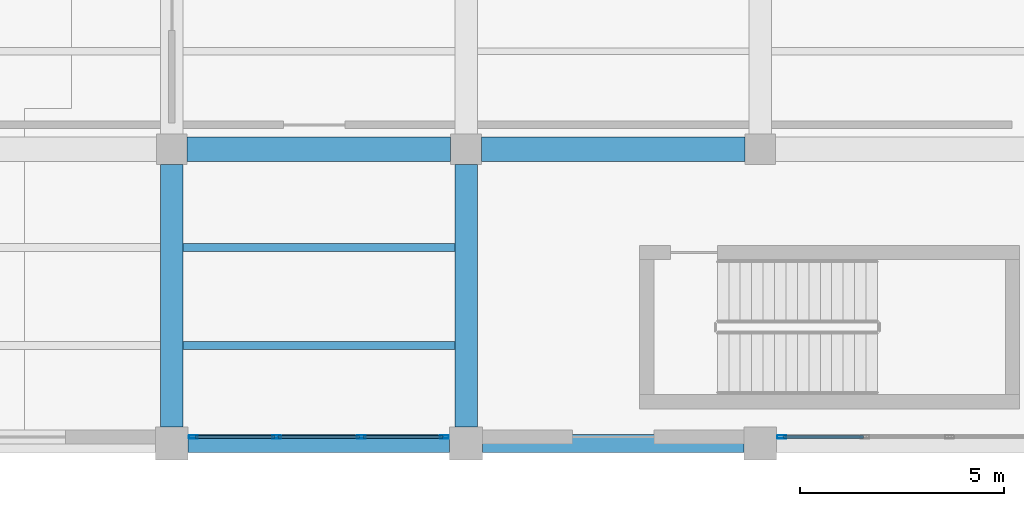
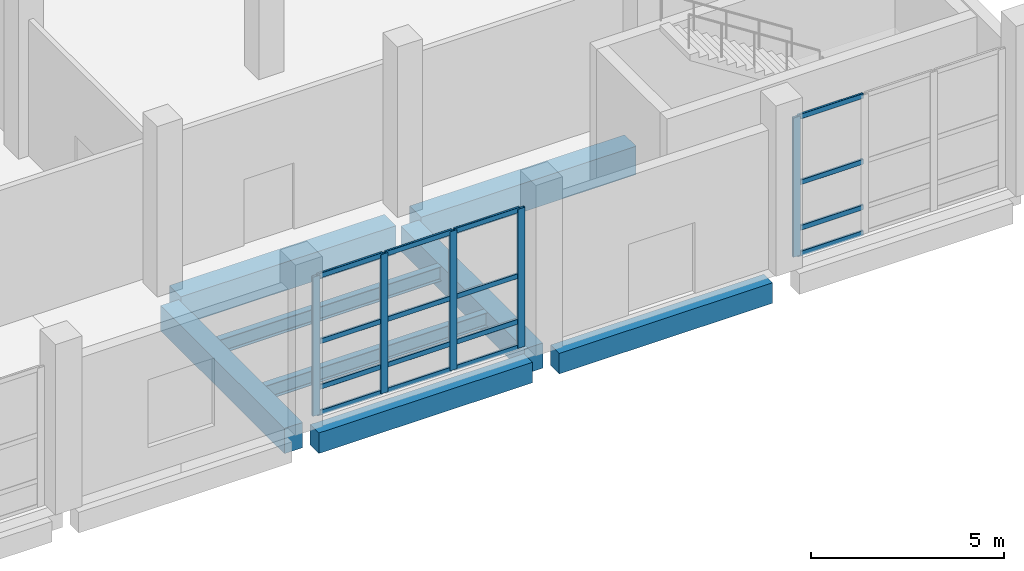
# One storey, part 64 of 137: 21 members, 8 beams, 2 elements without a shape of their own.
"""IFC4 building model written with IfcOpenShell, lengths in metres."""

from ifc_helpers import new_model, si_unit, direction, frame, origin, origin_2d, place, context, subcontext, project, spatial, rectangle, hollow_rectangle, i_section, extrude, material, material_profile, profile_set, type_object, element, aggregate, save


model = new_model("IFC4")

# Units and contexts
model_context = context("Model", 3, precision=1e-05, world=origin(), true_north=direction((0.0, 1.0)))
body_context = subcontext(model_context, "Body", "Model", "MODEL_VIEW")
ifc_project = project(units=[si_unit("LENGTHUNIT", "METRE"), si_unit("AREAUNIT", "SQUARE_METRE"), si_unit("VOLUMEUNIT", "CUBIC_METRE"), si_unit("PLANEANGLEUNIT", "RADIAN"), si_unit("MASSUNIT", "GRAM", prefix="KILO")], contexts=[model_context])

# Site, building, storey
site_placement = place(None, origin())
site = spatial("IfcSite", under=ifc_project, at=site_placement, CompositionType="ELEMENT")
building_placement = place(site_placement, origin())
building = spatial("IfcBuilding", under=site, at=building_placement, Name="Kalmorath City Hall", CompositionType="ELEMENT")
storey_placement = place(building_placement, origin())
storey = spatial("IfcBuildingStorey", under=building, at=storey_placement, Name="L00", CompositionType="ELEMENT", Elevation=0.0)

# Beams
ifc_material_1 = material(Name="Concrete C40/50", Category="concrete")
ifc_material_profile_1 = material_profile(ifc_material_1, rectangle(XDim=0.550048828125, YDim=0.800048828125, at=origin_2d()), Name="RC-BM-550X800")
ifc_profile_set_1 = profile_set([ifc_material_profile_1], Name="Concrete C40/50")
beam_type_1 = type_object("IfcBeamType", Name="Concrete floor girder 550x800", PredefinedType="BEAM", material=ifc_profile_set_1)
for number, where, z_axis, x_axis, name in (
    (1, (144.0, 0.39990234375, -0.7041015625), (0.0, 1.0, 0.0), (-1.0, 0.0, 0.0), "L00 girder CB2 Y21/1-2"),
    (2, (151.199951171875, 0.39990234375, -0.7041015625), (0.0, 1.0, 0.0), (-1.0, 0.0, 0.0), "L00 girder CB2 Y22/1-2"),
):
    element("IfcBeam", number, at=place(storey_placement, frame(where, z_axis=z_axis, x_axis=x_axis)), inside=storey, type_object=beam_type_1, Name=name, PredefinedType="BEAM", context=body_context, shape_type="SweptSolid", body=[
        extrude(rectangle(XDim=0.550048828125, YDim=0.800048828125, at=origin_2d()), origin(), (0.0, 0.0, 1.0), 6.425048828125),
    ])
ifc_material_2 = material(Name="Concrete C40/50", Category="concrete")
ifc_material_profile_2 = material_profile(ifc_material_2, rectangle(XDim=0.60009765625, YDim=0.89990234375, at=origin_2d()), Name="RC-BM-600X900")
ifc_profile_set_2 = profile_set([ifc_material_profile_2], Name="Concrete C40/50")
beam_type_2 = type_object("IfcBeamType", Name="Concrete floor girder 600x900", PredefinedType="BEAM", material=ifc_profile_set_2)
for number, where, z_axis, x_axis, name in (
    (3, (144.375, 7.199951171875, -0.75390625), (1.0, 0.0, 0.0), (0.0, 1.0, 0.0), "L00 girder CB1 X21-22/2"),
    (4, (151.574951171875, 7.199951171875, -0.75390625), (1.0, 0.0, 0.0), (0.0, 1.0, 0.0), "L00 girder CB1 X22-23/2"),
):
    element("IfcBeam", number, at=place(storey_placement, frame(where, z_axis=z_axis, x_axis=x_axis)), inside=storey, type_object=beam_type_2, Name=name, PredefinedType="BEAM", context=body_context, shape_type="SweptSolid", body=[
        extrude(rectangle(XDim=0.60009765625, YDim=0.89990234375, at=origin_2d()), origin(), (0.0, 0.0, 1.0), 6.449951171875),
    ])
ifc_material_3 = material(Name="Concrete C40/50", Category="concrete")
ifc_material_profile_3 = material_profile(ifc_material_3, rectangle(XDim=0.449951171875, YDim=0.64990234375, at=origin_2d()), Name="RC-BM-450X650")
ifc_profile_set_3 = profile_set([ifc_material_profile_3], Name="Concrete C40/50")
beam_type_3 = type_object("IfcBeamType", Name="Concrete spandrel beam 450x650", PredefinedType="SPANDREL", material=ifc_profile_set_3)
beam_1_placement = place(storey_placement, frame((144.39990234375, 0.0, -0.62890625), z_axis=(1.0, 0.0, 0.0), x_axis=(0.0, 1.0, 0.0)))
element("IfcBeam", 5, at=beam_1_placement, inside=storey, type_object=beam_type_3, Name="L00 girder CB5 X21-22/1", PredefinedType="SPANDREL", context=body_context, shape_type="SweptSolid", body=[
    extrude(rectangle(XDim=0.449951171875, YDim=0.64990234375, at=origin_2d()), origin(), (0.0, 0.0, 1.0), 6.400146484375),
])
beam_2_placement = place(storey_placement, frame((151.60009765625, 0.0, -0.62890625), z_axis=(1.0, 0.0, 0.0), x_axis=(0.0, 1.0, 0.0)))
element("IfcBeam", 6, at=beam_2_placement, inside=storey, type_object=beam_type_3, Name="L00 girder CB5 X22-23/1", PredefinedType="SPANDREL", context=body_context, shape_type="SweptSolid", body=[
    extrude(rectangle(XDim=0.449951171875, YDim=0.64990234375, at=origin_2d()), origin(), (0.0, 0.0, 1.0), 6.39990234375),
])

# Curtain wall, member
ifc_material_4 = material(Name="Anodised aluminium and laminated glass", Category="aluminium")
curtain_wall_type = type_object("IfcCurtainWallType", Name="Unitised hurricane curtain wall 6220x4411 M1800", PredefinedType="NOTDEFINED", material=ifc_material_4)
curtain_wall_1_placement = place(storey_placement, origin())
curtain_wall_1 = element("IfcCurtainWall", 7, at=curtain_wall_1_placement, inside=storey, type_object=curtain_wall_type, Name="L00 curtain wall CW-62X44M18 #12", PredefinedType="NOTDEFINED")
ifc_material_5 = material(Name="Anodised aluminium framing", Category="aluminium")
ifc_material_profile_4 = material_profile(ifc_material_5, hollow_rectangle(XDim=0.074951171875, YDim=0.219970703125, WallThickness=0.00390625, InnerFilletRadius=0.00390625, OuterFilletRadius=0.008056640625, at=origin_2d()), Name="ALU-MUL-220X75X4")
ifc_profile_set_4 = profile_set([ifc_material_profile_4], Name="Anodised aluminium framing")
member_type_1 = type_object("IfcMemberType", Name="Curtain-wall primary mullion 220x75", PredefinedType="MULLION", material=ifc_profile_set_4)
member_1_placement = place(storey_placement, frame((158.927490234375, 0.159912109375, 0.0), z_axis=(0.0, 0.0, 1.0), x_axis=(0.0, -1.0, 0.0)))
member_1 = element("IfcMember", 8, at=member_1_placement, type_object=member_type_1, Name="CW-62X44M18 mullion 4", PredefinedType="MULLION", context=body_context, shape_type="SweptSolid", body=[
    extrude(hollow_rectangle(XDim=0.074951171875, YDim=0.219970703125, WallThickness=0.00390625, InnerFilletRadius=0.00390625, OuterFilletRadius=0.008056640625, at=origin_2d()), origin(), (0.0, 0.0, 1.0), 4.410888671875),
])

# Curtain wall, members
curtain_wall_2_placement = place(storey_placement, origin())
curtain_wall_2 = element("IfcCurtainWall", 9, at=curtain_wall_2_placement, inside=storey, type_object=curtain_wall_type, Name="L00 curtain wall CW-62X44M18 #13", PredefinedType="NOTDEFINED")
member_2_placement = place(storey_placement, frame((150.672607421875, 0.159912109375, 0.0), z_axis=(0.0, 0.0, 1.0), x_axis=(0.0, -1.0, 0.0)))
member_2 = element("IfcMember", 10, at=member_2_placement, type_object=member_type_1, Name="CW-62X44M18 mullion 1", PredefinedType="MULLION", context=body_context, shape_type="SweptSolid", body=[
    extrude(hollow_rectangle(XDim=0.074951171875, YDim=0.219970703125, WallThickness=0.00390625, InnerFilletRadius=0.00390625, OuterFilletRadius=0.008056640625, at=origin_2d()), origin(), (0.0, 0.0, 1.0), 4.410888671875),
])
member_3_placement = place(storey_placement, frame((148.63671875, 0.159912109375, 0.0), z_axis=(0.0, 0.0, 1.0), x_axis=(0.0, -1.0, 0.0)))
member_3 = element("IfcMember", 11, at=member_3_placement, type_object=member_type_1, Name="CW-62X44M18 mullion 2", PredefinedType="MULLION", context=body_context, shape_type="SweptSolid", body=[
    extrude(hollow_rectangle(XDim=0.074951171875, YDim=0.219970703125, WallThickness=0.00390625, InnerFilletRadius=0.00390625, OuterFilletRadius=0.008056640625, at=origin_2d()), origin(), (0.0, 0.0, 1.0), 4.410888671875),
])
member_4_placement = place(storey_placement, frame((146.563232421875, 0.159912109375, 0.0), z_axis=(0.0, 0.0, 1.0), x_axis=(0.0, -1.0, 0.0)))
member_4 = element("IfcMember", 12, at=member_4_placement, type_object=member_type_1, Name="CW-62X44M18 mullion 3", PredefinedType="MULLION", context=body_context, shape_type="SweptSolid", body=[
    extrude(hollow_rectangle(XDim=0.074951171875, YDim=0.219970703125, WallThickness=0.00390625, InnerFilletRadius=0.00390625, OuterFilletRadius=0.008056640625, at=origin_2d()), origin(), (0.0, 0.0, 1.0), 4.410888671875),
])
member_5_placement = place(storey_placement, frame((144.527587890625, 0.159912109375, 0.0), z_axis=(0.0, 0.0, 1.0), x_axis=(0.0, -1.0, 0.0)))
member_5 = element("IfcMember", 13, at=member_5_placement, type_object=member_type_1, Name="CW-62X44M18 mullion 4", PredefinedType="MULLION", context=body_context, shape_type="SweptSolid", body=[
    extrude(hollow_rectangle(XDim=0.074951171875, YDim=0.219970703125, WallThickness=0.00390625, InnerFilletRadius=0.00390625, OuterFilletRadius=0.008056640625, at=origin_2d()), origin(), (0.0, 0.0, 1.0), 4.410888671875),
])

# Member
ifc_material_6 = material(Name="Anodised aluminium framing", Category="aluminium")
ifc_material_profile_5 = material_profile(ifc_material_6, hollow_rectangle(XDim=0.06494140625, YDim=0.159912109375, WallThickness=0.00390625, InnerFilletRadius=0.00390625, OuterFilletRadius=0.008056640625, at=origin_2d()), Name="ALU-TRN-160X65X4")
ifc_profile_set_5 = profile_set([ifc_material_profile_5], Name="Anodised aluminium framing")
member_type_2 = type_object("IfcMemberType", Name="Curtain-wall primary transom 160x65", PredefinedType="USERDEFINED", material=ifc_profile_set_5)
member_6_placement = place(storey_placement, frame((160.92578125, 0.159912109375, 0.032470703125), z_axis=(-1.0, 0.0, 0.0), x_axis=(0.0, -1.0, 0.0)))
member_6 = element("IfcMember", 14, at=member_6_placement, type_object=member_type_2, Name="CW-62X44M18 transom 3.1", ObjectType="TRANSOM", PredefinedType="USERDEFINED", context=body_context, shape_type="SweptSolid", body=[
    extrude(hollow_rectangle(XDim=0.06494140625, YDim=0.159912109375, WallThickness=0.00390625, InnerFilletRadius=0.00390625, OuterFilletRadius=0.008056640625, at=origin_2d()), origin(), (0.0, 0.0, 1.0), 1.960693359375),
])

member_7_placement = place(storey_placement, frame((160.92578125, 0.159912109375, 0.85009765625), z_axis=(-1.0, 0.0, 0.0), x_axis=(0.0, -1.0, 0.0)))
member_7 = element("IfcMember", 15, at=member_7_placement, type_object=member_type_2, Name="CW-62X44M18 transom 3.2", ObjectType="TRANSOM", PredefinedType="USERDEFINED", context=body_context, shape_type="SweptSolid", body=[
    extrude(hollow_rectangle(XDim=0.06494140625, YDim=0.159912109375, WallThickness=0.00390625, InnerFilletRadius=0.00390625, OuterFilletRadius=0.008056640625, at=origin_2d()), origin(), (0.0, 0.0, 1.0), 1.960693359375),
])

member_8_placement = place(storey_placement, frame((160.92578125, 0.159912109375, 2.2939453125), z_axis=(-1.0, 0.0, 0.0), x_axis=(0.0, -1.0, 0.0)))
member_8 = element("IfcMember", 16, at=member_8_placement, type_object=member_type_2, Name="CW-62X44M18 transom 3.3", ObjectType="TRANSOM", PredefinedType="USERDEFINED", context=body_context, shape_type="SweptSolid", body=[
    extrude(hollow_rectangle(XDim=0.06494140625, YDim=0.159912109375, WallThickness=0.00390625, InnerFilletRadius=0.00390625, OuterFilletRadius=0.008056640625, at=origin_2d()), origin(), (0.0, 0.0, 1.0), 1.960693359375),
])

member_9_placement = place(storey_placement, frame((160.92578125, 0.159912109375, 4.37841796875), z_axis=(-1.0, 0.0, 0.0), x_axis=(0.0, -1.0, 0.0)))
member_9 = element("IfcMember", 17, at=member_9_placement, type_object=member_type_2, Name="CW-62X44M18 transom 3.4", ObjectType="TRANSOM", PredefinedType="USERDEFINED", context=body_context, shape_type="SweptSolid", body=[
    extrude(hollow_rectangle(XDim=0.06494140625, YDim=0.159912109375, WallThickness=0.00390625, InnerFilletRadius=0.00390625, OuterFilletRadius=0.008056640625, at=origin_2d()), origin(), (0.0, 0.0, 1.0), 1.960693359375),
])

aggregate(curtain_wall_1, [member_1, member_6, member_7, member_8, member_9])

member_10_placement = place(storey_placement, frame((150.635009765625, 0.159912109375, 0.032470703125), z_axis=(-1.0, 0.0, 0.0), x_axis=(0.0, -1.0, 0.0)))
member_10 = element("IfcMember", 18, at=member_10_placement, type_object=member_type_2, Name="CW-62X44M18 transom 1.1", ObjectType="TRANSOM", PredefinedType="USERDEFINED", context=body_context, shape_type="SweptSolid", body=[
    extrude(hollow_rectangle(XDim=0.06494140625, YDim=0.159912109375, WallThickness=0.00390625, InnerFilletRadius=0.00390625, OuterFilletRadius=0.008056640625, at=origin_2d()), origin(), (0.0, 0.0, 1.0), 1.9609375),
])

member_11_placement = place(storey_placement, frame((150.635009765625, 0.159912109375, 0.85009765625), z_axis=(-1.0, 0.0, 0.0), x_axis=(0.0, -1.0, 0.0)))
member_11 = element("IfcMember", 19, at=member_11_placement, type_object=member_type_2, Name="CW-62X44M18 transom 1.2", ObjectType="TRANSOM", PredefinedType="USERDEFINED", context=body_context, shape_type="SweptSolid", body=[
    extrude(hollow_rectangle(XDim=0.06494140625, YDim=0.159912109375, WallThickness=0.00390625, InnerFilletRadius=0.00390625, OuterFilletRadius=0.008056640625, at=origin_2d()), origin(), (0.0, 0.0, 1.0), 1.9609375),
])

member_12_placement = place(storey_placement, frame((150.635009765625, 0.159912109375, 2.2939453125), z_axis=(-1.0, 0.0, 0.0), x_axis=(0.0, -1.0, 0.0)))
member_12 = element("IfcMember", 20, at=member_12_placement, type_object=member_type_2, Name="CW-62X44M18 transom 1.3", ObjectType="TRANSOM", PredefinedType="USERDEFINED", context=body_context, shape_type="SweptSolid", body=[
    extrude(hollow_rectangle(XDim=0.06494140625, YDim=0.159912109375, WallThickness=0.00390625, InnerFilletRadius=0.00390625, OuterFilletRadius=0.008056640625, at=origin_2d()), origin(), (0.0, 0.0, 1.0), 1.9609375),
])

member_13_placement = place(storey_placement, frame((150.635009765625, 0.159912109375, 4.37841796875), z_axis=(-1.0, 0.0, 0.0), x_axis=(0.0, -1.0, 0.0)))
member_13 = element("IfcMember", 21, at=member_13_placement, type_object=member_type_2, Name="CW-62X44M18 transom 1.4", ObjectType="TRANSOM", PredefinedType="USERDEFINED", context=body_context, shape_type="SweptSolid", body=[
    extrude(hollow_rectangle(XDim=0.06494140625, YDim=0.159912109375, WallThickness=0.00390625, InnerFilletRadius=0.00390625, OuterFilletRadius=0.008056640625, at=origin_2d()), origin(), (0.0, 0.0, 1.0), 1.9609375),
])

member_14_placement = place(storey_placement, frame((148.59912109375, 0.159912109375, 0.032470703125), z_axis=(-1.0, 0.0, 0.0), x_axis=(0.0, -1.0, 0.0)))
member_14 = element("IfcMember", 22, at=member_14_placement, type_object=member_type_2, Name="CW-62X44M18 transom 2.1", ObjectType="TRANSOM", PredefinedType="USERDEFINED", context=body_context, shape_type="SweptSolid", body=[
    extrude(hollow_rectangle(XDim=0.06494140625, YDim=0.159912109375, WallThickness=0.00390625, InnerFilletRadius=0.00390625, OuterFilletRadius=0.008056640625, at=origin_2d()), origin(), (0.0, 0.0, 1.0), 1.998291015625),
])

member_15_placement = place(storey_placement, frame((148.59912109375, 0.159912109375, 0.85009765625), z_axis=(-1.0, 0.0, 0.0), x_axis=(0.0, -1.0, 0.0)))
member_15 = element("IfcMember", 23, at=member_15_placement, type_object=member_type_2, Name="CW-62X44M18 transom 2.2", ObjectType="TRANSOM", PredefinedType="USERDEFINED", context=body_context, shape_type="SweptSolid", body=[
    extrude(hollow_rectangle(XDim=0.06494140625, YDim=0.159912109375, WallThickness=0.00390625, InnerFilletRadius=0.00390625, OuterFilletRadius=0.008056640625, at=origin_2d()), origin(), (0.0, 0.0, 1.0), 1.998291015625),
])

member_16_placement = place(storey_placement, frame((148.59912109375, 0.159912109375, 2.2939453125), z_axis=(-1.0, 0.0, 0.0), x_axis=(0.0, -1.0, 0.0)))
member_16 = element("IfcMember", 24, at=member_16_placement, type_object=member_type_2, Name="CW-62X44M18 transom 2.3", ObjectType="TRANSOM", PredefinedType="USERDEFINED", context=body_context, shape_type="SweptSolid", body=[
    extrude(hollow_rectangle(XDim=0.06494140625, YDim=0.159912109375, WallThickness=0.00390625, InnerFilletRadius=0.00390625, OuterFilletRadius=0.008056640625, at=origin_2d()), origin(), (0.0, 0.0, 1.0), 1.998291015625),
])

member_17_placement = place(storey_placement, frame((148.59912109375, 0.159912109375, 4.37841796875), z_axis=(-1.0, 0.0, 0.0), x_axis=(0.0, -1.0, 0.0)))
member_17 = element("IfcMember", 25, at=member_17_placement, type_object=member_type_2, Name="CW-62X44M18 transom 2.4", ObjectType="TRANSOM", PredefinedType="USERDEFINED", context=body_context, shape_type="SweptSolid", body=[
    extrude(hollow_rectangle(XDim=0.06494140625, YDim=0.159912109375, WallThickness=0.00390625, InnerFilletRadius=0.00390625, OuterFilletRadius=0.008056640625, at=origin_2d()), origin(), (0.0, 0.0, 1.0), 1.998291015625),
])

member_18_placement = place(storey_placement, frame((146.52587890625, 0.159912109375, 0.032470703125), z_axis=(-1.0, 0.0, 0.0), x_axis=(0.0, -1.0, 0.0)))
member_18 = element("IfcMember", 26, at=member_18_placement, type_object=member_type_2, Name="CW-62X44M18 transom 3.1", ObjectType="TRANSOM", PredefinedType="USERDEFINED", context=body_context, shape_type="SweptSolid", body=[
    extrude(hollow_rectangle(XDim=0.06494140625, YDim=0.159912109375, WallThickness=0.00390625, InnerFilletRadius=0.00390625, OuterFilletRadius=0.008056640625, at=origin_2d()), origin(), (0.0, 0.0, 1.0), 1.9609375),
])

member_19_placement = place(storey_placement, frame((146.52587890625, 0.159912109375, 0.85009765625), z_axis=(-1.0, 0.0, 0.0), x_axis=(0.0, -1.0, 0.0)))
member_19 = element("IfcMember", 27, at=member_19_placement, type_object=member_type_2, Name="CW-62X44M18 transom 3.2", ObjectType="TRANSOM", PredefinedType="USERDEFINED", context=body_context, shape_type="SweptSolid", body=[
    extrude(hollow_rectangle(XDim=0.06494140625, YDim=0.159912109375, WallThickness=0.00390625, InnerFilletRadius=0.00390625, OuterFilletRadius=0.008056640625, at=origin_2d()), origin(), (0.0, 0.0, 1.0), 1.9609375),
])

member_20_placement = place(storey_placement, frame((146.52587890625, 0.159912109375, 2.2939453125), z_axis=(-1.0, 0.0, 0.0), x_axis=(0.0, -1.0, 0.0)))
member_20 = element("IfcMember", 28, at=member_20_placement, type_object=member_type_2, Name="CW-62X44M18 transom 3.3", ObjectType="TRANSOM", PredefinedType="USERDEFINED", context=body_context, shape_type="SweptSolid", body=[
    extrude(hollow_rectangle(XDim=0.06494140625, YDim=0.159912109375, WallThickness=0.00390625, InnerFilletRadius=0.00390625, OuterFilletRadius=0.008056640625, at=origin_2d()), origin(), (0.0, 0.0, 1.0), 1.9609375),
])

member_21_placement = place(storey_placement, frame((146.52587890625, 0.159912109375, 4.37841796875), z_axis=(-1.0, 0.0, 0.0), x_axis=(0.0, -1.0, 0.0)))
member_21 = element("IfcMember", 29, at=member_21_placement, type_object=member_type_2, Name="CW-62X44M18 transom 3.4", ObjectType="TRANSOM", PredefinedType="USERDEFINED", context=body_context, shape_type="SweptSolid", body=[
    extrude(hollow_rectangle(XDim=0.06494140625, YDim=0.159912109375, WallThickness=0.00390625, InnerFilletRadius=0.00390625, OuterFilletRadius=0.008056640625, at=origin_2d()), origin(), (0.0, 0.0, 1.0), 1.9609375),
])

aggregate(curtain_wall_2, [member_2, member_3, member_4, member_5, member_10, member_11, member_12, member_13, member_14, member_15, member_16, member_17, member_18, member_19, member_20, member_21])

# Beams
ifc_material_7 = material(Name="Steel ASTM A992 Grade 50", Category="steel")
ifc_material_profile_6 = material_profile(ifc_material_7, i_section(OverallWidth=0.19091796875, OverallDepth=0.4599609375, WebThickness=0.010009765625, FlangeThickness=0.01611328125, FilletRadius=0.013916015625, at=origin_2d()), Name="W18X55")
ifc_profile_set_6 = profile_set([ifc_material_profile_6], Name="Steel ASTM A992 Grade 50")
beam_type_4 = type_object("IfcBeamType", Name="Steel composite joist W18X55", PredefinedType="JOIST", material=ifc_profile_set_6)
for number, where, z_axis, x_axis, name in (
    (30, (144.27490234375, 2.39990234375, -0.533935546875), (1.0, 0.0, 0.0), (0.0, 1.0, 0.0), "L00 joist SJ2 21.1.1"),
    (31, (144.27490234375, 4.800048828125, -0.533935546875), (1.0, 0.0, 0.0), (0.0, 1.0, 0.0), "L00 joist SJ2 21.1.2"),
):
    element("IfcBeam", number, at=place(storey_placement, frame(where, z_axis=z_axis, x_axis=x_axis)), inside=storey, type_object=beam_type_4, Name=name, PredefinedType="JOIST", context=body_context, shape_type="SweptSolid", body=[
        extrude(i_section(OverallWidth=0.19091796875, OverallDepth=0.4599609375, WebThickness=0.010009765625, FlangeThickness=0.01611328125, FilletRadius=0.013916015625, at=origin_2d()), origin(), (0.0, 0.0, 1.0), 6.650146484375),
    ])

save(model, "model.ifc")
